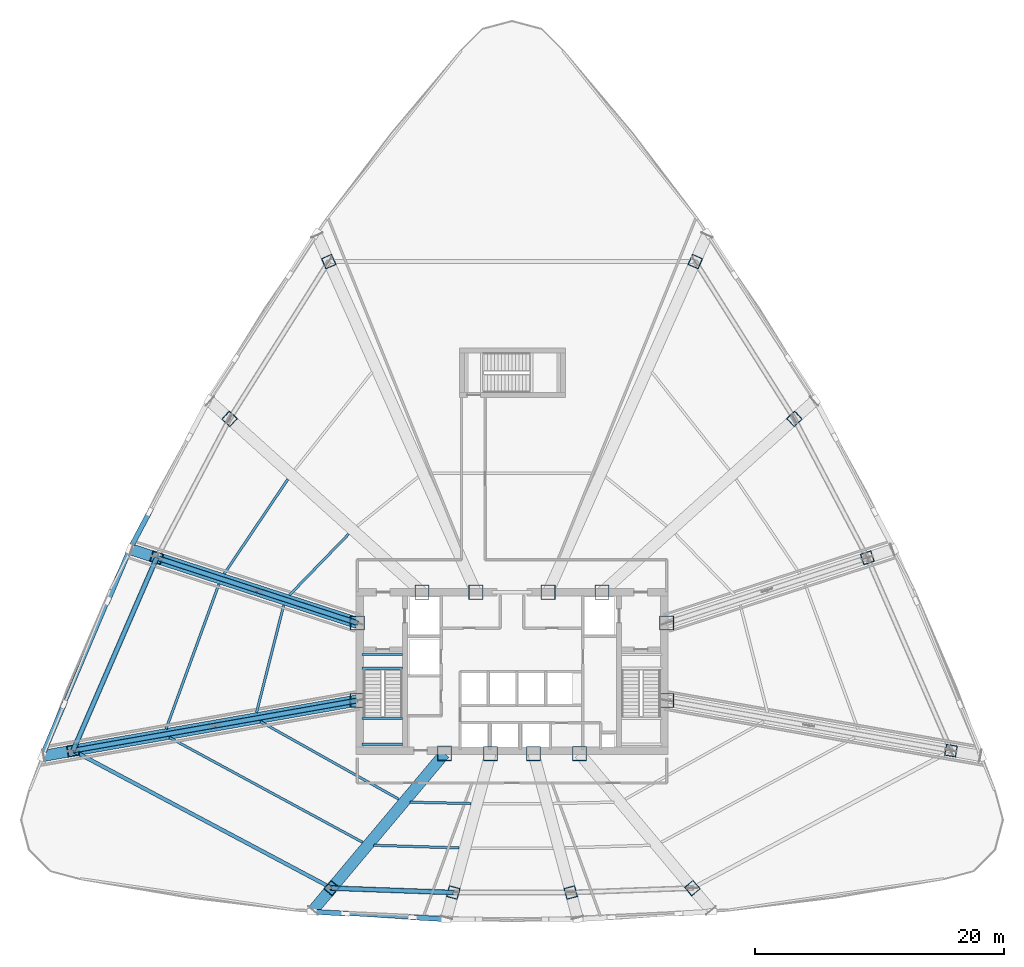
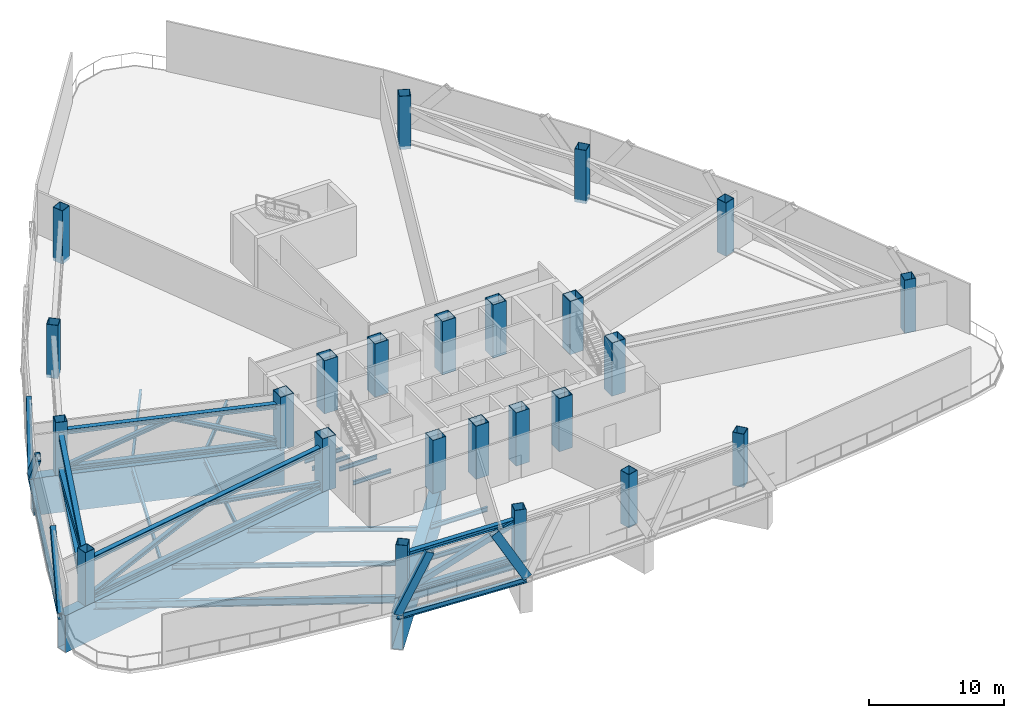
# One storey, part 1 of 17: 24 columns, 20 beams, 19 members.
"""IFC4 building model written with IfcOpenShell, lengths in metres."""

from ifc_helpers import new_model, si_unit, direction, frame, origin, origin_2d, place, context, subcontext, project, spatial, hollow_rectangle, i_section, extrude, source, transform, mapped, material, material_profile, profile_set, type_object, element, save


model = new_model("IFC4")

# Units and contexts
model_context = context("Model", 3, precision=1e-05, world=origin(), true_north=direction((0.0, 1.0)))
body_context = subcontext(model_context, "Body", "Model", "MODEL_VIEW")
ifc_project = project(units=[si_unit("LENGTHUNIT", "METRE"), si_unit("AREAUNIT", "SQUARE_METRE"), si_unit("VOLUMEUNIT", "CUBIC_METRE"), si_unit("PLANEANGLEUNIT", "RADIAN"), si_unit("MASSUNIT", "GRAM", prefix="KILO"), si_unit("THERMODYNAMICTEMPERATUREUNIT", "KELVIN"), si_unit("POWERUNIT", "WATT")], contexts=[model_context])

# Site, building, storey
site_placement = place(None, origin())
site = spatial("IfcSite", under=ifc_project, at=site_placement, CompositionType="ELEMENT")
building_placement = place(site_placement, origin())
building = spatial("IfcBuilding", under=site, at=building_placement, Name="Yunzhuo Pagoda Commons", CompositionType="ELEMENT")
storey_placement = place(building_placement, frame((0.0, 0.0, 176.159912109375)))
storey = spatial("IfcBuildingStorey", under=building, at=storey_placement, Name="L44", CompositionType="ELEMENT", Elevation=176.159912109375)

# Columns
ifc_material_1 = material(Name="Structural steel Q420B", Category="steel")
ifc_material_profile_1 = material_profile(ifc_material_1, hollow_rectangle(XDim=1.14990234375, YDim=1.14990234375, WallThickness=0.048095703125, at=origin_2d()), Name="Structural steel Q420B")
ifc_profile_set_1 = profile_set([ifc_material_profile_1], Name="Structural steel Q420B")
column_type_1 = type_object("IfcColumnType", Name="C-COR Column BOX 1150x1150x48", PredefinedType="COLUMN", material=ifc_profile_set_1)
shared_shape_1 = source(origin(), body_context, "Body", "SweptSolid", [
    extrude(hollow_rectangle(XDim=1.14990234375, YDim=1.14990234375, WallThickness=0.048095703125, at=origin_2d()), origin(), (0.0, 0.0, 1.0), 4.820068359375),
])
for number, where, z_axis, x_axis, name in (
    (1, (42.587890625, 27.25, -0.280029296875), (0.0, 0.0, 1.0), (1.0, 0.0, 0.0), "L44 core composite column F1C1"),
    (2, (46.27197265625, 27.25, -0.280029296875), (0.0, 0.0, 1.0), (1.0, 0.0, 0.0), "L44 core composite column F1C2"),
    (3, (49.728515625, 27.25, -0.280029296875), (0.0, 0.0, 1.0), (1.0, 0.0, 0.0), "L44 core composite column F1C3"),
    (4, (53.412109375, 27.25, -0.280029296875), (0.0, 0.0, 1.0), (1.0, 0.0, 0.0), "L44 core composite column F1C4"),
    (5, (60.39990234375, 31.513427734375, -0.280029296875), (0.0, 0.0, 1.0), (1.0, 0.0, 0.0), "L44 core composite column F2C1"),
    (6, (60.39990234375, 37.72900390625, -0.280029296875), (0.0, 0.0, 1.0), (1.0, 0.0, 0.0), "L44 core composite column F2C2"),
    (7, (55.218994140625, 40.199951171875, -0.280029296875), (0.0, 0.0, 1.0), (1.0, 0.0, 0.0), "L44 core composite column F2C3"),
    (8, (50.89404296875, 40.199951171875, -0.280029296875), (0.0, 0.0, 1.0), (1.0, 0.0, 0.0), "L44 core composite column F2C4"),
    (9, (45.10595703125, 40.199951171875, -0.280029296875), (0.0, 0.0, 1.0), (1.0, 0.0, 0.0), "L44 core composite column F3C1"),
    (10, (40.781005859375, 40.199951171875, -0.280029296875), (0.0, 0.0, 1.0), (1.0, 0.0, 0.0), "L44 core composite column F3C2"),
    (11, (35.60009765625, 37.72900390625, -0.280029296875), (0.0, 0.0, 1.0), (1.0, 0.0, 0.0), "L44 core composite column F3C3"),
    (12, (35.60009765625, 31.513427734375, -0.280029296875), (0.0, 0.0, 1.0), (1.0, 0.0, 0.0), "L44 core composite column F3C4"),
):
    element("IfcColumn", number, at=place(storey_placement, frame(where, z_axis=z_axis, x_axis=x_axis)), inside=storey, type_object=column_type_1, Name=name, PredefinedType="COLUMN", context=body_context, shape_type="MappedRepresentation", body=[
        mapped(shared_shape_1, transform((0.0, 0.0, 0.0), scale=1.0)),
    ])
ifc_material_profile_2 = material_profile(ifc_material_1, hollow_rectangle(XDim=0.89990234375, YDim=0.89990234375, WallThickness=0.035888671875, at=origin_2d()), Name="Structural steel Q420B")
ifc_profile_set_2 = profile_set([ifc_material_profile_2], Name="Structural steel Q420B")
column_type_2 = type_object("IfcColumnType", Name="C-Z4 Column BOX 900x900x36", PredefinedType="COLUMN", material=ifc_profile_set_2)
shared_shape_2 = source(origin(), body_context, "Body", "SweptSolid", [
    extrude(hollow_rectangle(XDim=0.89990234375, YDim=0.89990234375, WallThickness=0.035888671875, at=origin_2d()), origin(), (0.0, 0.0, 1.0), 4.820068359375),
])
for number, where, z_axis, x_axis, name in (
    (13, (33.538818359375, 16.4658203125, -0.280029296875), (0.0, 0.0, 1.0), (0.766044443119, -0.642787609687, 0.0), "L44 tower column F1C1"),
    (14, (43.28759765625, 16.1123046875, -0.280029296875), (0.0, 0.0, 1.0), (0.965925826289, -0.258819045103, 0.0), "L44 tower column F1C2"),
    (15, (52.712890625, 16.1123046875, -0.280029296875), (0.0, 0.0, 1.0), (0.965925826289, 0.258819045103, 0.0), "L44 tower column F1C3"),
    (16, (62.461181640625, 16.4658203125, -0.280029296875), (0.0, 0.0, 1.0), (0.766044443119, 0.642787609687, 0.0), "L44 tower column F1C4"),
    (17, (83.20654296875, 27.492431640625, -0.280029296875), (0.0, 0.0, 1.0), (0.173648177667, 0.984807753012, 0.0), "L44 tower column F2C1"),
    (18, (76.49462890625, 42.95849609375, -0.280029296875), (0.0, 0.0, 1.0), (-0.309016994375, 0.951056516295, 0.0), "L44 tower column F2C2"),
    (19, (70.650634765625, 54.0947265625, -0.280029296875), (0.0, 0.0, 1.0), (-0.669130606359, 0.743144825477, 0.0), "L44 tower column F2C3"),
    (20, (62.698974609375, 66.714599609375, -0.280029296875), (0.0, 0.0, 1.0), (-0.913545457643, 0.406736643076, 0.0), "L44 tower column F2C4"),
    (21, (33.301025390625, 66.714599609375, -0.280029296875), (0.0, 0.0, 1.0), (-0.913545457643, -0.406736643076, 0.0), "L44 tower column F3C1"),
    (22, (25.349365234375, 54.0947265625, -0.280029296875), (0.0, 0.0, 1.0), (-0.669130606359, -0.743144825477, 0.0), "L44 tower column F3C2"),
    (23, (19.50537109375, 42.95849609375, -0.280029296875), (0.0, 0.0, 1.0), (-0.309016994375, -0.951056516295, 0.0), "L44 tower column F3C3"),
    (24, (12.79345703125, 27.492431640625, -0.280029296875), (0.0, 0.0, 1.0), (0.173648177667, -0.984807753012, 0.0), "L44 tower column F3C4"),
):
    element("IfcColumn", number, at=place(storey_placement, frame(where, z_axis=z_axis, x_axis=x_axis)), inside=storey, type_object=column_type_2, Name=name, PredefinedType="COLUMN", context=body_context, shape_type="MappedRepresentation", body=[
        mapped(shared_shape_2, transform((0.0, 0.0, 0.0), scale=1.0)),
    ])

# Beams
ifc_material_2 = material(Name="Structural steel Q355B", Category="steel")
ifc_material_profile_3 = material_profile(ifc_material_2, i_section(OverallWidth=0.175048828125, OverallDepth=0.35009765625, WebThickness=0.007080078125, FlangeThickness=0.010986328125, at=origin_2d()), Name="Structural steel Q355B")
ifc_profile_set_3 = profile_set([ifc_material_profile_3], Name="Structural steel Q355B")
beam_type_1 = type_object("IfcBeamType", Name="B-JS2 Joist HN 350x175x7x11", PredefinedType="JOIST", material=ifc_profile_set_3)
shared_shape_3 = source(origin(), body_context, "Body", "SweptSolid", [
    extrude(i_section(OverallWidth=0.175048828125, OverallDepth=0.35009765625, WebThickness=0.007080078125, FlangeThickness=0.010986328125, at=origin_2d()), origin(), (0.0, 0.0, 1.0), 3.25),
])
for number, where, z_axis, x_axis, name in (
    (25, (35.949951171875, 28.0, 2.025146484375), (1.0, 0.0, 0.0), (0.0, 1.0, 0.0), "L44 ST1 landing support beam 50A"),
    (26, (35.949951171875, 30.06005859375, 2.025146484375), (1.0, 0.0, 0.0), (0.0, 1.0, 0.0), "L44 ST1 landing support beam 50B"),
    (27, (35.949951171875, 34.10009765625, -0.375), (1.0, 0.0, 0.0), (0.0, 1.0, 0.0), "L44 ST1 landing support beam 148A"),
    (28, (35.949951171875, 35.199951171875, -0.375), (1.0, 0.0, 0.0), (0.0, 1.0, 0.0), "L44 ST1 landing support beam 148B"),
):
    element("IfcBeam", number, at=place(storey_placement, frame(where, z_axis=z_axis, x_axis=x_axis)), inside=storey, type_object=beam_type_1, Name=name, PredefinedType="JOIST", context=body_context, shape_type="MappedRepresentation", body=[
        mapped(shared_shape_3, transform((0.0, 0.0, 0.0), scale=1.0)),
    ])
ifc_material_profile_4 = material_profile(ifc_material_1, hollow_rectangle(XDim=0.89990234375, YDim=3.35009765625, WallThickness=0.048095703125, at=origin_2d()), Name="Structural steel Q420B")
ifc_profile_set_4 = profile_set([ifc_material_profile_4], Name="Structural steel Q420B")
beam_type_2 = type_object("IfcBeamType", Name="BTR-2 Beam BOX 3350x900x48", PredefinedType="BEAM", material=ifc_profile_set_4)
shared_shape_4 = source(origin(), body_context, "Body", "SweptSolid", [
    extrude(hollow_rectangle(XDim=0.89990234375, YDim=3.35009765625, WallThickness=0.048095703125, at=origin_2d()), origin(), (0.0, 0.0, 1.0), 16.390625),
])
beam_1_placement = place(storey_placement, frame((32.05224609375, 14.694091796875, -1.954833984375), z_axis=(0.642787129535, 0.766044846014, 0.0), x_axis=(-0.766044846014, 0.642787129535, 0.0)))
element("IfcBeam", 29, at=beam_1_placement, inside=storey, type_object=beam_type_2, Name="BTR-2 L44 collinear transfer girder F1C1", PredefinedType="BEAM", context=body_context, shape_type="MappedRepresentation", body=[
    mapped(shared_shape_4, transform((0.0, 0.0, 0.0), scale=1.0)),
])
shared_shape_5 = source(origin(), body_context, "Body", "SweptSolid", [
    extrude(hollow_rectangle(XDim=0.89990234375, YDim=3.35009765625, WallThickness=0.048095703125, at=origin_2d()), origin(), (0.0, 0.0, 1.0), 25.52734375),
])
beam_2_placement = place(storey_placement, frame((10.46044921875, 27.0810546875, -1.954833984375), z_axis=(0.984810601719, 0.173632021076, 0.0), x_axis=(-0.173632021076, 0.984810601719, 0.0)))
element("IfcBeam", 30, at=beam_2_placement, inside=storey, type_object=beam_type_2, Name="BTR-2 L44 collinear transfer girder F3C4", PredefinedType="BEAM", context=body_context, shape_type="MappedRepresentation", body=[
    mapped(shared_shape_5, transform((0.0, 0.0, 0.0), scale=1.0)),
])
shared_shape_6 = source(origin(), body_context, "Body", "SweptSolid", [
    extrude(hollow_rectangle(XDim=0.89990234375, YDim=3.35009765625, WallThickness=0.048095703125, at=origin_2d()), origin(), (0.0, 0.0, 1.0), 19.029296875),
])
beam_3_placement = place(storey_placement, frame((17.502197265625, 43.609375, -1.954833984375), z_axis=(0.95105641133, -0.309017317424, 0.0), x_axis=(0.309017317424, 0.95105641133, 0.0)))
element("IfcBeam", 31, at=beam_3_placement, inside=storey, type_object=beam_type_2, Name="BTR-2 L44 collinear transfer girder F3C3", PredefinedType="BEAM", context=body_context, shape_type="MappedRepresentation", body=[
    mapped(shared_shape_6, transform((0.0, 0.0, 0.0), scale=1.0)),
])
ifc_material_profile_5 = material_profile(ifc_material_2, i_section(OverallWidth=0.300048828125, OverallDepth=0.488037109375, WebThickness=0.010986328125, FlangeThickness=0.01806640625, at=origin_2d()), Name="Structural steel Q355B")
ifc_profile_set_5 = profile_set([ifc_material_profile_5], Name="Structural steel Q355B")
beam_type_3 = type_object("IfcBeamType", Name="B-SP1 Beam HM 488x300x11x18", PredefinedType="BEAM", material=ifc_profile_set_5)
shared_shape_7 = source(origin(), body_context, "Body", "SweptSolid", [
    extrude(i_section(OverallWidth=0.300048828125, OverallDepth=0.488037109375, WebThickness=0.010986328125, FlangeThickness=0.01806640625, at=origin_2d()), origin(), (0.0, 0.0, 1.0), 10.77783203125),
])
beam_4_placement = place(storey_placement, frame((31.95263671875, 14.57568359375, -0.52392578125), z_axis=(0.998422062391, -0.056155011631, 0.0), x_axis=(0.056155011631, 0.998422062391, 0.0)))
element("IfcBeam", 32, at=beam_4_placement, inside=storey, type_object=beam_type_3, Name="L44 facade edge spandrel beam F1.1", PredefinedType="BEAM", context=body_context, shape_type="MappedRepresentation", body=[
    mapped(shared_shape_7, transform((0.0, 0.0, 0.0), scale=1.0)),
])
shared_shape_8 = source(origin(), body_context, "Body", "SweptSolid", [
    extrude(i_section(OverallWidth=0.300048828125, OverallDepth=0.488037109375, WebThickness=0.010986328125, FlangeThickness=0.01806640625, at=origin_2d()), origin(), (0.0, 0.0, 1.0), 18.037353515625),
])
beam_5_placement = place(storey_placement, frame((17.355224609375, 43.6572265625, -0.52392578125), z_axis=(-0.390723291802, -0.920508179889, 0.0), x_axis=(0.920508179889, -0.390723291802, 0.0)))
element("IfcBeam", 33, at=beam_5_placement, inside=storey, type_object=beam_type_3, Name="L44 facade edge spandrel beam F3.3", PredefinedType="BEAM", context=body_context, shape_type="MappedRepresentation", body=[
    mapped(shared_shape_8, transform((0.0, 0.0, 0.0), scale=1.0)),
])
ifc_material_profile_6 = material_profile(ifc_material_2, i_section(OverallWidth=0.300048828125, OverallDepth=0.64990234375, WebThickness=0.012939453125, FlangeThickness=0.02197265625, at=origin_2d()), Name="Structural steel Q355B")
ifc_profile_set_6 = profile_set([ifc_material_profile_6], Name="Structural steel Q355B")
beam_type_4 = type_object("IfcBeamType", Name="B-RG2 Beam HN 650x300x13x22", PredefinedType="BEAM", material=ifc_profile_set_6)
shared_shape_9 = source(origin(), body_context, "Body", "SweptSolid", [
    extrude(i_section(OverallWidth=0.300048828125, OverallDepth=0.64990234375, WebThickness=0.012939453125, FlangeThickness=0.02197265625, at=origin_2d()), origin(), (0.0, 0.0, 1.0), 9.755126953125),
])
beam_6_placement = place(storey_placement, frame((33.538818359375, 16.4658203125, -0.60498046875), z_axis=(0.999343161351, -0.036238734258, 0.0), x_axis=(0.036238734258, 0.999343161351, 0.0)))
element("IfcBeam", 34, at=beam_6_placement, inside=storey, type_object=beam_type_4, Name="L44 column-ring beam 1", PredefinedType="BEAM", context=body_context, shape_type="MappedRepresentation", body=[
    mapped(shared_shape_9, transform((0.0, 0.0, 0.0), scale=1.0)),
])
ifc_material_profile_7 = material_profile(ifc_material_2, i_section(OverallWidth=0.199951171875, OverallDepth=0.39990234375, WebThickness=0.008056640625, FlangeThickness=0.012939453125, at=origin_2d()), Name="Structural steel Q355B")
ifc_profile_set_7 = profile_set([ifc_material_profile_7], Name="Structural steel Q355B")
beam_type_5 = type_object("IfcBeamType", Name="B-JS1 Joist HN 400x200x8x13", PredefinedType="JOIST", material=ifc_profile_set_7)
shared_shape_10 = source(origin(), body_context, "Body", "SweptSolid", [
    extrude(i_section(OverallWidth=0.199951171875, OverallDepth=0.39990234375, WebThickness=0.008056640625, FlangeThickness=0.012939453125, at=origin_2d()), origin(), (0.0, 0.0, 1.0), 4.914794921875),
])
beam_7_placement = place(storey_placement, frame((39.806884765625, 23.357421875, -0.47998046875), z_axis=(0.999764351647, -0.021708090116, 0.0), x_axis=(0.021708090116, 0.999764351647, 0.0)))
element("IfcBeam", 35, at=beam_7_placement, inside=storey, type_object=beam_type_5, Name="L44 composite ring joist 1.1", PredefinedType="JOIST", context=body_context, shape_type="MappedRepresentation", body=[
    mapped(shared_shape_10, transform((0.0, 0.0, 0.0), scale=1.0)),
])
shared_shape_11 = source(origin(), body_context, "Body", "SweptSolid", [
    extrude(i_section(OverallWidth=0.199951171875, OverallDepth=0.39990234375, WebThickness=0.008056640625, FlangeThickness=0.012939453125, at=origin_2d()), origin(), (0.0, 0.0, 1.0), 6.857421875),
])
beam_8_placement = place(storey_placement, frame((36.911376953125, 19.902099609375, -0.47998046875), z_axis=(0.999525699454, -0.030795716119, 0.0), x_axis=(0.030795716119, 0.999525699454, 0.0)))
element("IfcBeam", 36, at=beam_8_placement, inside=storey, type_object=beam_type_5, Name="L44 composite ring joist 2.1", PredefinedType="JOIST", context=body_context, shape_type="MappedRepresentation", body=[
    mapped(shared_shape_11, transform((0.0, 0.0, 0.0), scale=1.0)),
])
shared_shape_12 = source(origin(), body_context, "Body", "SweptSolid", [
    extrude(i_section(OverallWidth=0.300048828125, OverallDepth=0.64990234375, WebThickness=0.012939453125, FlangeThickness=0.02197265625, at=origin_2d()), origin(), (0.0, 0.0, 1.0), 23.49365234375),
])
beam_9_placement = place(storey_placement, frame((12.79345703125, 27.492431640625, -0.60498046875), z_axis=(0.883016269865, -0.469342377325, 0.0), x_axis=(0.469342377325, 0.883016269865, 0.0)))
element("IfcBeam", 37, at=beam_9_placement, inside=storey, type_object=beam_type_4, Name="L44 column-ring beam 12", PredefinedType="BEAM", context=body_context, shape_type="MappedRepresentation", body=[
    mapped(shared_shape_12, transform((0.0, 0.0, 0.0), scale=1.0)),
])
shared_shape_13 = source(origin(), body_context, "Body", "SweptSolid", [
    extrude(i_section(OverallWidth=0.199951171875, OverallDepth=0.39990234375, WebThickness=0.008056640625, FlangeThickness=0.012939453125, at=origin_2d()), origin(), (0.0, 0.0, 1.0), 17.636962890625),
])
beam_10_placement = place(storey_placement, frame((20.510986328125, 28.551513671875, -0.47998046875), z_axis=(0.879068922097, -0.476694692863, 0.0), x_axis=(0.476694692863, 0.879068922097, 0.0)))
element("IfcBeam", 38, at=beam_10_placement, inside=storey, type_object=beam_type_5, Name="L44 composite ring joist 2.12", PredefinedType="JOIST", context=body_context, shape_type="MappedRepresentation", body=[
    mapped(shared_shape_13, transform((0.0, 0.0, 0.0), scale=1.0)),
])
shared_shape_14 = source(origin(), body_context, "Body", "SweptSolid", [
    extrude(i_section(OverallWidth=0.300048828125, OverallDepth=0.64990234375, WebThickness=0.012939453125, FlangeThickness=0.02197265625, at=origin_2d()), origin(), (0.0, 0.0, 1.0), 16.859619140625),
])
beam_11_placement = place(storey_placement, frame((19.50537109375, 42.95849609375, -0.60498046875), z_axis=(-0.398104384161, -0.917340121935, 0.0), x_axis=(0.917340121935, -0.398104384161, 0.0)))
element("IfcBeam", 39, at=beam_11_placement, inside=storey, type_object=beam_type_4, Name="L44 column-ring beam 11", PredefinedType="BEAM", context=body_context, shape_type="MappedRepresentation", body=[
    mapped(shared_shape_14, transform((0.0, 0.0, 0.0), scale=1.0)),
])
shared_shape_15 = source(origin(), body_context, "Body", "SweptSolid", [
    extrude(i_section(OverallWidth=0.199951171875, OverallDepth=0.39990234375, WebThickness=0.008056640625, FlangeThickness=0.012939453125, at=origin_2d()), origin(), (0.0, 0.0, 1.0), 8.892822265625),
])
beam_12_placement = place(storey_placement, frame((29.68896484375, 39.149169921875, -0.47998046875), z_axis=(-0.245409130159, -0.969419598953, 0.0), x_axis=(0.969419598953, -0.245409130159, 0.0)))
element("IfcBeam", 40, at=beam_12_placement, inside=storey, type_object=beam_type_5, Name="L44 composite ring joist 1.11", PredefinedType="JOIST", context=body_context, shape_type="MappedRepresentation", body=[
    mapped(shared_shape_15, transform((0.0, 0.0, 0.0), scale=1.0)),
])
shared_shape_16 = source(origin(), body_context, "Body", "SweptSolid", [
    extrude(i_section(OverallWidth=0.199951171875, OverallDepth=0.39990234375, WebThickness=0.008056640625, FlangeThickness=0.012939453125, at=origin_2d()), origin(), (0.0, 0.0, 1.0), 12.35888671875),
])
beam_13_placement = place(storey_placement, frame((24.492431640625, 40.8369140625, -0.47998046875), z_axis=(-0.342853094563, -0.939389033121, 0.0), x_axis=(0.939389033121, -0.342853094563, 0.0)))
element("IfcBeam", 41, at=beam_13_placement, inside=storey, type_object=beam_type_5, Name="L44 composite ring joist 2.11", PredefinedType="JOIST", context=body_context, shape_type="MappedRepresentation", body=[
    mapped(shared_shape_16, transform((0.0, 0.0, 0.0), scale=1.0)),
])
shared_shape_17 = source(origin(), body_context, "Body", "SweptSolid", [
    extrude(i_section(OverallWidth=0.199951171875, OverallDepth=0.39990234375, WebThickness=0.008056640625, FlangeThickness=0.012939453125, at=origin_2d()), origin(), (0.0, 0.0, 1.0), 9.12890625),
])
beam_14_placement = place(storey_placement, frame((30.02099609375, 49.2529296875, -0.47998046875), z_axis=(-0.558539174295, -0.829478143641, 0.0), x_axis=(0.829478143641, -0.558539174295, 0.0)))
element("IfcBeam", 42, at=beam_14_placement, inside=storey, type_object=beam_type_5, Name="L44 composite ring joist 2.10", PredefinedType="JOIST", context=body_context, shape_type="MappedRepresentation", body=[
    mapped(shared_shape_17, transform((0.0, 0.0, 0.0), scale=1.0)),
])
shared_shape_18 = source(origin(), body_context, "Body", "SweptSolid", [
    extrude(i_section(OverallWidth=0.199951171875, OverallDepth=0.39990234375, WebThickness=0.008056640625, FlangeThickness=0.012939453125, at=origin_2d()), origin(), (0.0, 0.0, 1.0), 6.83203125),
])
beam_15_placement = place(storey_placement, frame((34.8935546875, 44.859619140625, -0.47998046875), z_axis=(-0.696033094419, -0.718009701518, 0.0), x_axis=(0.718009701518, -0.696033094419, 0.0)))
element("IfcBeam", 43, at=beam_15_placement, inside=storey, type_object=beam_type_5, Name="L44 composite ring joist 1.10", PredefinedType="JOIST", context=body_context, shape_type="MappedRepresentation", body=[
    mapped(shared_shape_18, transform((0.0, 0.0, 0.0), scale=1.0)),
])
shared_shape_19 = source(origin(), body_context, "Body", "SweptSolid", [
    extrude(i_section(OverallWidth=0.199951171875, OverallDepth=0.39990234375, WebThickness=0.008056640625, FlangeThickness=0.012939453125, at=origin_2d()), origin(), (0.0, 0.0, 1.0), 12.7373046875),
])
beam_16_placement = place(storey_placement, frame((27.8056640625, 29.832763671875, -0.47998046875), z_axis=(0.872142642151, -0.489251685477, 0.0), x_axis=(0.489251685477, 0.872142642151, 0.0)))
element("IfcBeam", 44, at=beam_16_placement, inside=storey, type_object=beam_type_5, Name="L44 composite ring joist 1.12", PredefinedType="JOIST", context=body_context, shape_type="MappedRepresentation", body=[
    mapped(shared_shape_19, transform((0.0, 0.0, 0.0), scale=1.0)),
])

# Members
ifc_material_profile_8 = material_profile(ifc_material_1, i_section(OverallWidth=0.406982421875, OverallDepth=0.427978515625, WebThickness=0.02001953125, FlangeThickness=0.034912109375, at=origin_2d()), Name="Structural steel Q420B")
ifc_profile_set_8 = profile_set([ifc_material_profile_8], Name="Structural steel Q420B")
member_type_1 = type_object("IfcMemberType", Name="M-OTC Chord HW 428x407x20x35", PredefinedType="CHORD", material=ifc_profile_set_8)
shared_shape_20 = source(origin(), body_context, "Body", "SweptSolid", [
    extrude(i_section(OverallWidth=0.406982421875, OverallDepth=0.427978515625, WebThickness=0.02001953125, FlangeThickness=0.034912109375, at=origin_2d()), origin(), (0.0, 0.0, 1.0), 23.158447265625),
])
for number, where, z_axis, x_axis, name in (
    (45, (35.60009765625, 31.513427734375, 0.0703125), (-0.984810928035, -0.173630170257, 0.0), (0.173630170257, -0.984810928035, 0.0), "L44 outrigger bottom chord F3C4"),
    (46, (35.60009765625, 31.513427734375, 3.39013671875), (-0.984810928035, -0.173630170257, 0.0), (0.173630170257, -0.984810928035, 0.0), "L44 outrigger top chord F3C4"),
):
    element("IfcMember", number, at=place(storey_placement, frame(where, z_axis=z_axis, x_axis=x_axis)), inside=storey, type_object=member_type_1, Name=name, PredefinedType="CHORD", context=body_context, shape_type="MappedRepresentation", body=[
        mapped(shared_shape_20, transform((0.0, 0.0, 0.0), scale=1.0)),
    ])
ifc_material_profile_9 = material_profile(ifc_material_1, i_section(OverallWidth=0.35009765625, OverallDepth=0.35009765625, WebThickness=0.011962890625, FlangeThickness=0.01904296875, at=origin_2d()), Name="Structural steel Q420B")
ifc_profile_set_9 = profile_set([ifc_material_profile_9], Name="Structural steel Q420B")
member_type_2 = type_object("IfcMemberType", Name="M-OTB Brace HW 350x350x12x19", PredefinedType="BRACE", material=ifc_profile_set_9)
shared_shape_21 = source(origin(), body_context, "Body", "SweptSolid", [
    extrude(i_section(OverallWidth=0.35009765625, OverallDepth=0.35009765625, WebThickness=0.011962890625, FlangeThickness=0.01904296875, at=origin_2d()), origin(), (0.0, 0.0, 1.0), 12.045654296875),
])
for number, where, z_axis, x_axis, name in (
    (47, (35.60009765625, 31.513427734375, 0.0703125), (-0.946670927382, -0.166905778175, 0.275602279493), (0.173630170257, -0.984810928035, 0.0), "L44 outrigger diagonal brace F3C4A"),
    (48, (24.19677734375, 29.5029296875, 3.39013671875), (-0.946670927382, -0.166905778175, -0.275602279493), (0.173630170257, -0.984810928035, 0.0), "L44 outrigger diagonal brace F3C4B"),
):
    element("IfcMember", number, at=place(storey_placement, frame(where, z_axis=z_axis, x_axis=x_axis)), inside=storey, type_object=member_type_2, Name=name, PredefinedType="BRACE", context=body_context, shape_type="MappedRepresentation", body=[
        mapped(shared_shape_21, transform((0.0, 0.0, 0.0), scale=1.0)),
    ])
shared_shape_22 = source(origin(), body_context, "Body", "SweptSolid", [
    extrude(i_section(OverallWidth=0.406982421875, OverallDepth=0.427978515625, WebThickness=0.02001953125, FlangeThickness=0.034912109375, at=origin_2d()), origin(), (0.0, 0.0, 1.0), 16.923095703125),
])
for number, where, z_axis, x_axis, name in (
    (49, (35.60009765625, 37.72900390625, 0.0703125), (-0.951056541965, 0.309016915371, 0.0), (-0.309016915371, -0.951056541965, 0.0), "L44 outrigger bottom chord F3C3"),
    (50, (35.60009765625, 37.72900390625, 3.39013671875), (-0.951056541965, 0.309016915371, 0.0), (-0.309016915371, -0.951056541965, 0.0), "L44 outrigger top chord F3C3"),
):
    element("IfcMember", number, at=place(storey_placement, frame(where, z_axis=z_axis, x_axis=x_axis)), inside=storey, type_object=member_type_1, Name=name, PredefinedType="CHORD", context=body_context, shape_type="MappedRepresentation", body=[
        mapped(shared_shape_22, transform((0.0, 0.0, 0.0), scale=1.0)),
    ])
shared_shape_23 = source(origin(), body_context, "Body", "SweptSolid", [
    extrude(i_section(OverallWidth=0.35009765625, OverallDepth=0.35009765625, WebThickness=0.011962890625, FlangeThickness=0.01904296875, at=origin_2d()), origin(), (0.0, 0.0, 1.0), 9.089599609375),
])
member_1_placement = place(storey_placement, frame((35.60009765625, 37.72900390625, 0.0703125), z_axis=(-0.885357413019, 0.287661253327, 0.365230412955), x_axis=(-0.309008435874, -0.951059297078, 0.0)))
element("IfcMember", 51, at=member_1_placement, inside=storey, type_object=member_type_2, Name="L44 outrigger diagonal brace F3C3A", PredefinedType="BRACE", context=body_context, shape_type="MappedRepresentation", body=[
    mapped(shared_shape_23, transform((0.0, 0.0, 0.0), scale=1.0)),
])
shared_shape_24 = source(origin(), body_context, "Body", "SweptSolid", [
    extrude(i_section(OverallWidth=0.35009765625, OverallDepth=0.35009765625, WebThickness=0.011962890625, FlangeThickness=0.01904296875, at=origin_2d()), origin(), (0.0, 0.0, 1.0), 9.08935546875),
])
member_2_placement = place(storey_placement, frame((27.552490234375, 40.34375, 3.39013671875), z_axis=(-0.885345801406, 0.287674935016, -0.365247783972), x_axis=(-0.309025395308, -0.951053786625, 0.0)))
element("IfcMember", 52, at=member_2_placement, inside=storey, type_object=member_type_2, Name="L44 outrigger diagonal brace F3C3B", PredefinedType="BRACE", context=body_context, shape_type="MappedRepresentation", body=[
    mapped(shared_shape_24, transform((0.0, 0.0, 0.0), scale=1.0)),
])
ifc_material_profile_10 = material_profile(ifc_material_1, i_section(OverallWidth=0.39990234375, OverallDepth=0.39990234375, WebThickness=0.012939453125, FlangeThickness=0.02099609375, at=origin_2d()), Name="Structural steel Q420B")
ifc_profile_set_10 = profile_set([ifc_material_profile_10], Name="Structural steel Q420B")
member_type_3 = type_object("IfcMemberType", Name="M-BTC Chord HW 400x400x13x21", PredefinedType="CHORD", material=ifc_profile_set_10)
shared_shape_25 = source(origin(), body_context, "Body", "SweptSolid", [
    extrude(i_section(OverallWidth=0.39990234375, OverallDepth=0.39990234375, WebThickness=0.012939453125, FlangeThickness=0.02099609375, at=origin_2d()), origin(), (0.0, 0.0, 1.0), 9.755126953125),
])
for number, where, z_axis, x_axis, name in (
    (53, (33.538818359375, 16.4658203125, 0.0703125), (0.999343161351, -0.036238734258, 0.0), (0.036238734258, 0.999343161351, 0.0), "L44 belt truss bottom chord 1"),
    (54, (33.538818359375, 16.4658203125, 3.39013671875), (0.999343161351, -0.036238734258, 0.0), (0.036238734258, 0.999343161351, 0.0), "L44 belt truss top chord 1"),
):
    element("IfcMember", number, at=place(storey_placement, frame(where, z_axis=z_axis, x_axis=x_axis)), inside=storey, type_object=member_type_3, Name=name, PredefinedType="CHORD", context=body_context, shape_type="MappedRepresentation", body=[
        mapped(shared_shape_25, transform((0.0, 0.0, 0.0), scale=1.0)),
    ])
ifc_material_profile_11 = material_profile(ifc_material_1, hollow_rectangle(XDim=0.39990234375, YDim=0.5, WallThickness=0.02392578125, at=origin_2d()), Name="Structural steel Q420B")
ifc_profile_set_11 = profile_set([ifc_material_profile_11], Name="Structural steel Q420B")
member_type_4 = type_object("IfcMemberType", Name="M-BTB Brace RHS 500x400x24", PredefinedType="BRACE", material=ifc_profile_set_11)
shared_shape_26 = source(origin(), body_context, "Body", "SweptSolid", [
    extrude(hollow_rectangle(XDim=0.39990234375, YDim=0.5, WallThickness=0.02392578125, at=origin_2d()), origin(), (0.0, 0.0, 1.0), 10.3046875),
])
member_3_placement = place(storey_placement, frame((33.538818359375, 16.4658203125, 0.0703125), z_axis=(0.946060367372, -0.034306564122, 0.32216896335), x_axis=(0.036238734258, 0.999343161351, 0.0)))
element("IfcMember", 55, at=member_3_placement, inside=storey, type_object=member_type_4, Name="L44 belt truss diagonal brace 1A", PredefinedType="BRACE", context=body_context, shape_type="MappedRepresentation", body=[
    mapped(shared_shape_26, transform((0.0, 0.0, 0.0), scale=1.0)),
])
shared_shape_27 = source(origin(), body_context, "Body", "SweptSolid", [
    extrude(i_section(OverallWidth=0.39990234375, OverallDepth=0.39990234375, WebThickness=0.012939453125, FlangeThickness=0.02099609375, at=origin_2d()), origin(), (0.0, 0.0, 1.0), 16.859619140625),
])
for number, where, z_axis, x_axis, name in (
    (56, (19.50537109375, 42.95849609375, 0.0703125), (-0.398104384161, -0.917340121935, 0.0), (0.917340121935, -0.398104384161, 0.0), "L44 belt truss bottom chord 11"),
    (57, (19.50537109375, 42.95849609375, 3.39013671875), (-0.398104384161, -0.917340121935, 0.0), (0.917340121935, -0.398104384161, 0.0), "L44 belt truss top chord 11"),
):
    element("IfcMember", number, at=place(storey_placement, frame(where, z_axis=z_axis, x_axis=x_axis)), inside=storey, type_object=member_type_3, Name=name, PredefinedType="CHORD", context=body_context, shape_type="MappedRepresentation", body=[
        mapped(shared_shape_27, transform((0.0, 0.0, 0.0), scale=1.0)),
    ])
shared_shape_28 = source(origin(), body_context, "Body", "SweptSolid", [
    extrude(hollow_rectangle(XDim=0.39990234375, YDim=0.5, WallThickness=0.02392578125, at=origin_2d()), origin(), (0.0, 0.0, 1.0), 17.183349609375),
])
member_4_placement = place(storey_placement, frame((19.50537109375, 42.95849609375, 0.0703125), z_axis=(-0.390603920587, -0.900057026236, 0.193199189297), x_axis=(0.917340121935, -0.398104384161, 0.0)))
element("IfcMember", 58, at=member_4_placement, inside=storey, type_object=member_type_4, Name="L44 belt truss diagonal brace 11A", PredefinedType="BRACE", context=body_context, shape_type="MappedRepresentation", body=[
    mapped(shared_shape_28, transform((0.0, 0.0, 0.0), scale=1.0)),
])
ifc_material_profile_12 = material_profile(ifc_material_2, hollow_rectangle(XDim=0.39990234375, YDim=0.719970703125, WallThickness=0.02392578125, at=origin_2d()), Name="Structural steel Q355B")
ifc_profile_set_12 = profile_set([ifc_material_profile_12], Name="Structural steel Q355B")
member_type_5 = type_object("IfcMemberType", Name="M-DL2 Brace BOX 720x400x24", PredefinedType="BRACE", material=ifc_profile_set_12)
shared_shape_29 = source(origin(), body_context, "Body", "SweptSolid", [
    extrude(hollow_rectangle(XDim=0.39990234375, YDim=0.719970703125, WallThickness=0.02392578125, at=origin_2d()), origin(), (0.0, 0.0, 1.0), 5.52197265625),
])
for number, where, z_axis, x_axis, name in (
    (59, (31.95263671875, 14.57568359375, -0.280029296875), (0.487171265615, -0.027411397103, 0.872876150017), (0.056177592441, 0.998420792105, 0.0), "L44 facade diamond brace F1.1L"),
    (60, (42.71337890625, 13.970458984375, -0.280029296875), (-0.487171855548, 0.027367218312, 0.872877207014), (-0.056087268686, -0.998425870203, 0.0), "L44 facade diamond brace F1.1R"),
):
    element("IfcMember", number, at=place(storey_placement, frame(where, z_axis=z_axis, x_axis=x_axis)), inside=storey, type_object=member_type_5, Name=name, PredefinedType="BRACE", context=body_context, shape_type="MappedRepresentation", body=[
        mapped(shared_shape_29, transform((0.0, 0.0, 0.0), scale=1.0)),
    ])
shared_shape_30 = source(origin(), body_context, "Body", "SweptSolid", [
    extrude(hollow_rectangle(XDim=0.39990234375, YDim=0.719970703125, WallThickness=0.02392578125, at=origin_2d()), origin(), (0.0, 0.0, 1.0), 6.6005859375),
])
for number, where, z_axis, x_axis, name in (
    (61, (17.355224609375, 43.6572265625, -0.280029296875), (-0.266975851213, -0.628861654519, 0.730244420961), (0.920483837961, -0.390780634184, 0.0), "L44 facade diamond brace F3.3L"),
    (62, (10.3076171875, 27.0537109375, -0.280029296875), (0.266941499519, 0.628867864047, 0.730251631565), (-0.920503311686, 0.390734760642, 0.0), "L44 facade diamond brace F3.3R"),
):
    element("IfcMember", number, at=place(storey_placement, frame(where, z_axis=z_axis, x_axis=x_axis)), inside=storey, type_object=member_type_5, Name=name, PredefinedType="BRACE", context=body_context, shape_type="MappedRepresentation", body=[
        mapped(shared_shape_30, transform((0.0, 0.0, 0.0), scale=1.0)),
    ])
shared_shape_31 = source(origin(), body_context, "Body", "SweptSolid", [
    extrude(hollow_rectangle(XDim=0.39990234375, YDim=0.719970703125, WallThickness=0.02392578125, at=origin_2d()), origin(), (0.0, 0.0, 1.0), 5.886474609375),
])
member_5_placement = place(storey_placement, frame((17.355224609375, 43.6572265625, -0.280029296875), z_axis=(0.267923029483, 0.507685108962, 0.818824206049), x_axis=(-0.884400492781, 0.466728795308, 0.0)))
element("IfcMember", 63, at=member_5_placement, inside=storey, type_object=member_type_5, Name="L44 facade diamond brace F3.2R", PredefinedType="BRACE", context=body_context, shape_type="MappedRepresentation", body=[
    mapped(shared_shape_31, transform((0.0, 0.0, 0.0), scale=1.0)),
])

save(model, "model.ifc")
